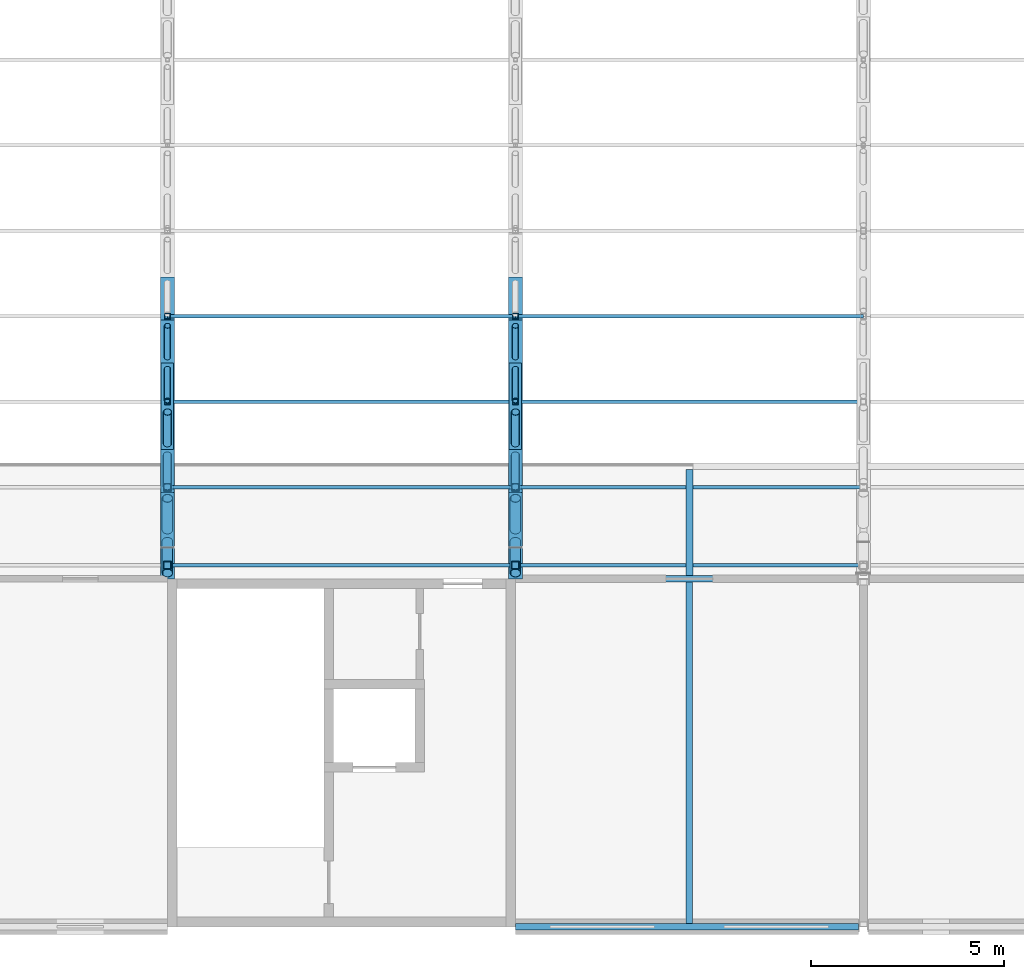
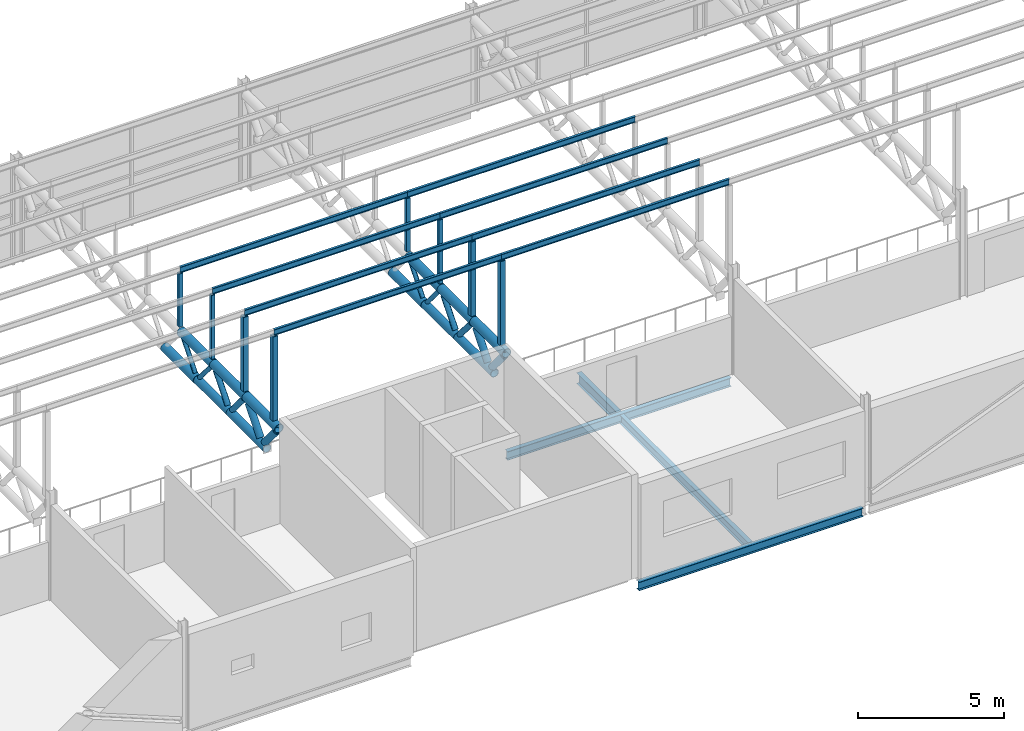
# One storey, part 44 of 138: 40 members, 4 beams.
"""IFC4 building model written with IfcOpenShell, lengths in metres."""

from ifc_helpers import new_model, si_unit, direction, frame, origin, origin_2d, place, context, subcontext, project, spatial, hollow_rectangle, hollow_circle, i_section, extrude, material, material_profile, profile_set, type_object, element, save


model = new_model("IFC4")

# Units and contexts
model_context = context("Model", 3, precision=1e-05, world=origin(), true_north=direction((0.0, 1.0)))
body_context = subcontext(model_context, "Body", "Model", "MODEL_VIEW")
ifc_project = project(units=[si_unit("LENGTHUNIT", "METRE"), si_unit("AREAUNIT", "SQUARE_METRE"), si_unit("VOLUMEUNIT", "CUBIC_METRE"), si_unit("PLANEANGLEUNIT", "RADIAN"), si_unit("MASSUNIT", "GRAM", prefix="KILO")], contexts=[model_context])

# Site, building, storey
site_placement = place(None, origin())
site = spatial("IfcSite", under=ifc_project, at=site_placement, CompositionType="ELEMENT")
building_placement = place(site_placement, origin())
building = spatial("IfcBuilding", under=site, at=building_placement, Name="Corbel Yard City Hall", CompositionType="ELEMENT")
storey_placement = place(building_placement, frame((0.0, 0.0, 10.5)))
storey = spatial("IfcBuildingStorey", under=building, at=storey_placement, Name="L02", CompositionType="ELEMENT", Elevation=10.5)

# Beams
ifc_material_1 = material(Name="Steel Grade 300 (300 MPa yield)", Category="steel")
ifc_material_profile_1 = material_profile(ifc_material_1, i_section(OverallWidth=0.172119140625, OverallDepth=0.35888671875, WebThickness=0.008056640625, FlangeThickness=0.012939453125, at=origin_2d()), Name="360UB56.7")
ifc_profile_set_1 = profile_set([ifc_material_profile_1], Name="Steel Grade 300 (300 MPa yield)")
beam_type_1 = type_object("IfcBeamType", Name="Edge beam 360UB56.7", PredefinedType="BEAM", material=ifc_profile_set_1)
beam_1_placement = place(storey_placement, frame((90.0, 0.0, -0.32958984375), z_axis=(1.0, 0.0, 0.0), x_axis=(0.0, 1.0, 0.0)))
element("IfcBeam", 1, at=beam_1_placement, inside=storey, type_object=beam_type_1, Name="Edge beam 360UB56.7 EB4 L02floor", PredefinedType="BEAM", context=body_context, shape_type="SweptSolid", body=[
    extrude(i_section(OverallWidth=0.172119140625, OverallDepth=0.35888671875, WebThickness=0.008056640625, FlangeThickness=0.012939453125, at=origin_2d()), origin(), (0.0, 0.0, 1.0), 8.8701171875),
])
beam_2_placement = place(storey_placement, frame((90.0, 9.0, -0.32958984375), z_axis=(1.0, 0.0, 0.0), x_axis=(0.0, 1.0, 0.0)))
element("IfcBeam", 2, at=beam_2_placement, inside=storey, type_object=beam_type_1, Name="Edge beam 360UB56.7 EB4 L02floor", PredefinedType="BEAM", context=body_context, shape_type="SweptSolid", body=[
    extrude(i_section(OverallWidth=0.172119140625, OverallDepth=0.35888671875, WebThickness=0.008056640625, FlangeThickness=0.012939453125, at=origin_2d()), origin(), (0.0, 0.0, 1.0), 8.842529296875),
])
ifc_material_profile_2 = material_profile(ifc_material_1, i_section(OverallWidth=0.18994140625, OverallDepth=0.4541015625, WebThickness=0.008544921875, FlangeThickness=0.0126953125, at=origin_2d()), Name="460UB67.1")
ifc_profile_set_2 = profile_set([ifc_material_profile_2], Name="Steel Grade 300 (300 MPa yield)")
beam_type_2 = type_object("IfcBeamType", Name="Gallery bracket 460UB67.1", PredefinedType="BEAM", material=ifc_profile_set_2)
beam_3_placement = place(storey_placement, frame((94.5, 9.0859375, -0.376953125), z_axis=(0.0, 1.0, 0.0), x_axis=(-1.0, 0.0, 0.0)))
element("IfcBeam", 3, at=beam_3_placement, inside=storey, type_object=beam_type_2, Name="Gallery bracket 460UB67.1 CB2 L02", PredefinedType="BEAM", context=body_context, shape_type="SweptSolid", body=[
    extrude(i_section(OverallWidth=0.18994140625, OverallDepth=0.4541015625, WebThickness=0.008544921875, FlangeThickness=0.0126953125, at=origin_2d()), origin(), (0.0, 0.0, 1.0), 2.7431640625),
])

# Members
ifc_material_2 = material(Name="Steel Grade C350L0", Category="steel")
ifc_material_profile_3 = material_profile(ifc_material_2, hollow_circle(Radius=0.161865234375, WallThickness=0.0126953125, at=origin_2d()), Name="323.9x12.7CHS")
ifc_profile_set_3 = profile_set([ifc_material_profile_3], Name="Steel Grade C350L0")
member_type_1 = type_object("IfcMemberType", Name="Hall roof truss bottom chord 323.9x12.7CHS", PredefinedType="CHORD", material=ifc_profile_set_3)
member_1_placement = place(storey_placement, frame((81.0, 9.8154296875, 2.59228515625), z_axis=(0.0, 1.0, 0.0), x_axis=(-1.0, 0.0, 0.0)))
element("IfcMember", 4, at=member_1_placement, inside=storey, type_object=member_type_1, Name="Hall roof truss bottom chord 323.9x12.7CHS TC2", PredefinedType="CHORD", context=body_context, shape_type="SweptSolid", body=[
    extrude(hollow_circle(Radius=0.161865234375, WallThickness=0.0126953125, at=origin_2d()), origin(), (0.0, 0.0, 1.0), 2.531005859375),
])
member_2_placement = place(storey_placement, frame((81.0, 12.346435546875, 2.59228515625), z_axis=(0.0, 1.0, 0.0), x_axis=(-1.0, 0.0, 0.0)))
element("IfcMember", 5, at=member_2_placement, inside=storey, type_object=member_type_1, Name="Hall roof truss bottom chord 323.9x12.7CHS TC2", PredefinedType="CHORD", context=body_context, shape_type="SweptSolid", body=[
    extrude(hollow_circle(Radius=0.161865234375, WallThickness=0.0126953125, at=origin_2d()), origin(), (0.0, 0.0, 1.0), 2.23095703125),
])
member_3_placement = place(storey_placement, frame((90.0, 9.8154296875, 2.59228515625), z_axis=(0.0, 1.0, 0.0), x_axis=(-1.0, 0.0, 0.0)))
element("IfcMember", 6, at=member_3_placement, inside=storey, type_object=member_type_1, Name="Hall roof truss bottom chord 323.9x12.7CHS TC2", PredefinedType="CHORD", context=body_context, shape_type="SweptSolid", body=[
    extrude(hollow_circle(Radius=0.161865234375, WallThickness=0.0126953125, at=origin_2d()), origin(), (0.0, 0.0, 1.0), 2.531005859375),
])
member_4_placement = place(storey_placement, frame((90.0, 12.346435546875, 2.59228515625), z_axis=(0.0, 1.0, 0.0), x_axis=(-1.0, 0.0, 0.0)))
element("IfcMember", 7, at=member_4_placement, inside=storey, type_object=member_type_1, Name="Hall roof truss bottom chord 323.9x12.7CHS TC2", PredefinedType="CHORD", context=body_context, shape_type="SweptSolid", body=[
    extrude(hollow_circle(Radius=0.161865234375, WallThickness=0.0126953125, at=origin_2d()), origin(), (0.0, 0.0, 1.0), 2.23095703125),
])
ifc_material_profile_4 = material_profile(ifc_material_2, hollow_circle(Radius=0.177734375, WallThickness=0.0126953125, at=origin_2d()), Name="355.6x12.7CHS")
ifc_profile_set_4 = profile_set([ifc_material_profile_4], Name="Steel Grade C350L0")
member_type_2 = type_object("IfcMemberType", Name="Hall roof truss bottom chord 355.6x12.7CHS", PredefinedType="CHORD", material=ifc_profile_set_4)
for number, where, z_axis, x_axis, name in (
    (8, (81.0, 14.577392578125, 2.59228515625), (0.0, 1.0, 0.0), (-1.0, 0.0, 0.0), "Hall roof truss bottom chord 355.6x12.7CHS TC3"),
    (9, (90.0, 14.577392578125, 2.59228515625), (0.0, 1.0, 0.0), (-1.0, 0.0, 0.0), "Hall roof truss bottom chord 355.6x12.7CHS TC3"),
):
    element("IfcMember", number, at=place(storey_placement, frame(where, z_axis=z_axis, x_axis=x_axis)), inside=storey, type_object=member_type_2, Name=name, PredefinedType="CHORD", context=body_context, shape_type="SweptSolid", body=[
        extrude(hollow_circle(Radius=0.177734375, WallThickness=0.0126953125, at=origin_2d()), origin(), (0.0, 0.0, 1.0), 2.23095703125),
    ])
ifc_material_profile_5 = material_profile(ifc_material_2, hollow_circle(Radius=0.084228515625, WallThickness=0.007080078125, at=origin_2d()), Name="168.3x7.1CHS")
ifc_profile_set_5 = profile_set([ifc_material_profile_5], Name="Steel Grade C350L0")
member_type_3 = type_object("IfcMemberType", Name="Hall roof truss diagonal 168.3x7.1CHS", PredefinedType="STRUT", material=ifc_profile_set_5)
for number, where, z_axis, x_axis, name in (
    (10, (81.0, 13.611083984375, 3.744384765625), (0.0, 0.64257954038, -0.766218985855), (-1.0, 0.0, 0.0), "Hall roof truss diagonal 168.3x7.1CHS TD3"),
    (11, (81.0, 14.7265625, 2.77001953125), (0.0, 0.64257954038, 0.766218985855), (-1.0, 0.0, 0.0), "Hall roof truss diagonal 168.3x7.1CHS TD3"),
    (12, (90.0, 13.611083984375, 3.744384765625), (0.0, 0.64257954038, -0.766218985855), (-1.0, 0.0, 0.0), "Hall roof truss diagonal 168.3x7.1CHS TD3"),
    (13, (90.0, 14.7265625, 2.77001953125), (0.0, 0.64257954038, 0.766218985855), (-1.0, 0.0, 0.0), "Hall roof truss diagonal 168.3x7.1CHS TD3"),
):
    element("IfcMember", number, at=place(storey_placement, frame(where, z_axis=z_axis, x_axis=x_axis)), inside=storey, type_object=member_type_3, Name=name, PredefinedType="STRUT", context=body_context, shape_type="SweptSolid", body=[
        extrude(hollow_circle(Radius=0.084228515625, WallThickness=0.007080078125, at=origin_2d()), origin(), (0.0, 0.0, 1.0), 1.271728515625),
    ])
ifc_material_profile_6 = material_profile(ifc_material_2, hollow_circle(Radius=0.109619140625, WallThickness=0.00830078125, at=origin_2d()), Name="219.1x8.2CHS")
ifc_profile_set_6 = profile_set([ifc_material_profile_6], Name="Steel Grade C350L0")
member_type_4 = type_object("IfcMemberType", Name="Hall roof truss diagonal 219.1x8.2CHS", PredefinedType="STRUT", material=ifc_profile_set_6)
for number, where, z_axis, x_axis, name in (
    (14, (81.0, 11.380126953125, 3.744384765625), (0.0, 0.64257954038, -0.766218985855), (-1.0, 0.0, 0.0), "Hall roof truss diagonal 219.1x8.2CHS TD2"),
    (15, (81.0, 12.49560546875, 2.77001953125), (0.0, 0.64257954038, 0.766218985855), (-1.0, 0.0, 0.0), "Hall roof truss diagonal 219.1x8.2CHS TD2"),
    (16, (90.0, 11.380126953125, 3.744384765625), (0.0, 0.64257954038, -0.766218985855), (-1.0, 0.0, 0.0), "Hall roof truss diagonal 219.1x8.2CHS TD2"),
    (17, (90.0, 12.49560546875, 2.77001953125), (0.0, 0.64257954038, 0.766218985855), (-1.0, 0.0, 0.0), "Hall roof truss diagonal 219.1x8.2CHS TD2"),
):
    element("IfcMember", number, at=place(storey_placement, frame(where, z_axis=z_axis, x_axis=x_axis)), inside=storey, type_object=member_type_4, Name=name, PredefinedType="STRUT", context=body_context, shape_type="SweptSolid", body=[
        extrude(hollow_circle(Radius=0.109619140625, WallThickness=0.00830078125, at=origin_2d()), origin(), (0.0, 0.0, 1.0), 1.271728515625),
    ])
ifc_material_profile_7 = material_profile(ifc_material_2, hollow_circle(Radius=0.136474609375, WallThickness=0.00927734375, at=origin_2d()), Name="273.1x9.3CHS")
ifc_profile_set_7 = profile_set([ifc_material_profile_7], Name="Steel Grade C350L0")
member_type_5 = type_object("IfcMemberType", Name="Hall roof truss diagonal 273.1x9.3CHS", PredefinedType="STRUT", material=ifc_profile_set_7)
for number, where, z_axis, x_axis, name in (
    (18, (81.0, 9.149169921875, 3.744384765625), (0.0, 0.64257954038, -0.766218985855), (-1.0, 0.0, 0.0), "Hall roof truss diagonal 273.1x9.3CHS TD1"),
    (19, (81.0, 10.2646484375, 2.77001953125), (0.0, 0.64257954038, 0.766218985855), (-1.0, 0.0, 0.0), "Hall roof truss diagonal 273.1x9.3CHS TD1"),
    (20, (90.0, 9.149169921875, 3.744384765625), (0.0, 0.64257954038, -0.766218985855), (-1.0, 0.0, 0.0), "Hall roof truss diagonal 273.1x9.3CHS TD1"),
    (21, (90.0, 10.2646484375, 2.77001953125), (0.0, 0.64257954038, 0.766218985855), (-1.0, 0.0, 0.0), "Hall roof truss diagonal 273.1x9.3CHS TD1"),
):
    element("IfcMember", number, at=place(storey_placement, frame(where, z_axis=z_axis, x_axis=x_axis)), inside=storey, type_object=member_type_5, Name=name, PredefinedType="STRUT", context=body_context, shape_type="SweptSolid", body=[
        extrude(hollow_circle(Radius=0.136474609375, WallThickness=0.00927734375, at=origin_2d()), origin(), (0.0, 0.0, 1.0), 1.271728515625),
    ])
ifc_material_profile_8 = material_profile(ifc_material_2, hollow_circle(Radius=0.177734375, WallThickness=0.0126953125, at=origin_2d()), Name="355.6x12.7CHS")
ifc_profile_set_8 = profile_set([ifc_material_profile_8], Name="Steel Grade C350L0")
member_type_6 = type_object("IfcMemberType", Name="Hall roof truss top chord 355.6x12.7CHS", PredefinedType="CHORD", material=ifc_profile_set_8)
for number, where, z_axis, x_axis, name in (
    (22, (81.0, 9.0, 3.922119140625), (0.0, 1.0, 0.0), (-1.0, 0.0, 0.0), "Hall roof truss top chord 355.6x12.7CHS TC1"),
    (23, (81.0, 11.23095703125, 3.922119140625), (0.0, 1.0, 0.0), (-1.0, 0.0, 0.0), "Hall roof truss top chord 355.6x12.7CHS TC1"),
    (24, (81.0, 13.4619140625, 3.922119140625), (0.0, 1.0, 0.0), (-1.0, 0.0, 0.0), "Hall roof truss top chord 355.6x12.7CHS TC1"),
    (25, (90.0, 9.0, 3.922119140625), (0.0, 1.0, 0.0), (-1.0, 0.0, 0.0), "Hall roof truss top chord 355.6x12.7CHS TC1"),
    (26, (90.0, 11.23095703125, 3.922119140625), (0.0, 1.0, 0.0), (-1.0, 0.0, 0.0), "Hall roof truss top chord 355.6x12.7CHS TC1"),
    (27, (90.0, 13.4619140625, 3.922119140625), (0.0, 1.0, 0.0), (-1.0, 0.0, 0.0), "Hall roof truss top chord 355.6x12.7CHS TC1"),
):
    element("IfcMember", number, at=place(storey_placement, frame(where, z_axis=z_axis, x_axis=x_axis)), inside=storey, type_object=member_type_6, Name=name, PredefinedType="CHORD", context=body_context, shape_type="SweptSolid", body=[
        extrude(hollow_circle(Radius=0.177734375, WallThickness=0.0126953125, at=origin_2d()), origin(), (0.0, 0.0, 1.0), 2.23095703125),
    ])
ifc_material_profile_9 = material_profile(ifc_material_1, i_section(OverallWidth=0.090087890625, OverallDepth=0.25, WebThickness=0.008056640625, FlangeThickness=0.014892578125, at=origin_2d()), Name="250PFC")
ifc_profile_set_9 = profile_set([ifc_material_profile_9], Name="Steel Grade 300 (300 MPa yield)")
member_type_7 = type_object("IfcMemberType", Name="Purlin 250PFC", PredefinedType="PURLIN", material=ifc_profile_set_9)
for number, where, z_axis, x_axis, name in (
    (28, (81.0, 9.3525390625, 7.74560546875), (1.0, 0.0, 0.0), (0.0, 1.0, 0.0), "Purlin 250PFC PU1"),
    (29, (81.0, 11.3642578125, 7.343017578125), (1.0, 0.0, 0.0), (0.0, 1.0, 0.0), "Purlin 250PFC PU1"),
    (30, (81.0, 13.576171875, 6.900634765625), (1.0, 0.0, 0.0), (0.0, 1.0, 0.0), "Purlin 250PFC PU1"),
    (31, (81.0, 15.7880859375, 6.45849609375), (1.0, 0.0, 0.0), (0.0, 1.0, 0.0), "Purlin 250PFC PU1"),
    (32, (90.0, 9.3525390625, 7.74560546875), (1.0, 0.0, 0.0), (0.0, 1.0, 0.0), "Purlin 250PFC PU1"),
    (33, (90.0, 11.3642578125, 7.343017578125), (1.0, 0.0, 0.0), (0.0, 1.0, 0.0), "Purlin 250PFC PU1"),
    (34, (90.0, 13.576171875, 6.900634765625), (1.0, 0.0, 0.0), (0.0, 1.0, 0.0), "Purlin 250PFC PU1"),
    (35, (90.0, 15.7880859375, 6.45849609375), (1.0, 0.0, 0.0), (0.0, 1.0, 0.0), "Purlin 250PFC PU1"),
):
    element("IfcMember", number, at=place(storey_placement, frame(where, z_axis=z_axis, x_axis=x_axis)), inside=storey, type_object=member_type_7, Name=name, PredefinedType="PURLIN", context=body_context, shape_type="SweptSolid", body=[
        extrude(i_section(OverallWidth=0.090087890625, OverallDepth=0.25, WebThickness=0.008056640625, FlangeThickness=0.014892578125, at=origin_2d()), origin(), (0.0, 0.0, 1.0), 9.0),
    ])
ifc_material_3 = material(Name="Steel Grade C450L0", Category="steel")
ifc_material_profile_10 = material_profile(ifc_material_3, hollow_rectangle(XDim=0.14990234375, YDim=0.14990234375, WallThickness=0.009033203125, at=origin_2d()), Name="150x150x9.0SHS")
ifc_profile_set_10 = profile_set([ifc_material_profile_10], Name="Steel Grade C450L0")
member_type_8 = type_object("IfcMemberType", Name="Roof post 150x150x9.0SHS", PredefinedType="POST", material=ifc_profile_set_10)
member_5_placement = place(storey_placement, frame((81.0, 13.576171875, 4.10009765625), z_axis=(0.0, 0.0, 1.0), x_axis=(1.0, 0.0, 0.0)))
element("IfcMember", 36, at=member_5_placement, inside=storey, type_object=member_type_8, Name="Roof post 150x150x9.0SHS RP2", PredefinedType="POST", context=body_context, shape_type="SweptSolid", body=[
    extrude(hollow_rectangle(XDim=0.14990234375, YDim=0.14990234375, WallThickness=0.009033203125, at=origin_2d()), origin(), (0.0, 0.0, 1.0), 2.675537109375),
])
member_6_placement = place(storey_placement, frame((81.0, 15.7880859375, 4.10009765625), z_axis=(0.0, 0.0, 1.0), x_axis=(1.0, 0.0, 0.0)))
element("IfcMember", 37, at=member_6_placement, inside=storey, type_object=member_type_8, Name="Roof post 150x150x9.0SHS RP2", PredefinedType="POST", context=body_context, shape_type="SweptSolid", body=[
    extrude(hollow_rectangle(XDim=0.14990234375, YDim=0.14990234375, WallThickness=0.009033203125, at=origin_2d()), origin(), (0.0, 0.0, 1.0), 2.2333984375),
])
member_7_placement = place(storey_placement, frame((90.0, 13.576171875, 4.10009765625), z_axis=(0.0, 0.0, 1.0), x_axis=(1.0, 0.0, 0.0)))
element("IfcMember", 38, at=member_7_placement, inside=storey, type_object=member_type_8, Name="Roof post 150x150x9.0SHS RP2", PredefinedType="POST", context=body_context, shape_type="SweptSolid", body=[
    extrude(hollow_rectangle(XDim=0.14990234375, YDim=0.14990234375, WallThickness=0.009033203125, at=origin_2d()), origin(), (0.0, 0.0, 1.0), 2.675537109375),
])
member_8_placement = place(storey_placement, frame((90.0, 15.7880859375, 4.10009765625), z_axis=(0.0, 0.0, 1.0), x_axis=(1.0, 0.0, 0.0)))
element("IfcMember", 39, at=member_8_placement, inside=storey, type_object=member_type_8, Name="Roof post 150x150x9.0SHS RP2", PredefinedType="POST", context=body_context, shape_type="SweptSolid", body=[
    extrude(hollow_rectangle(XDim=0.14990234375, YDim=0.14990234375, WallThickness=0.009033203125, at=origin_2d()), origin(), (0.0, 0.0, 1.0), 2.2333984375),
])
ifc_material_profile_11 = material_profile(ifc_material_3, hollow_rectangle(XDim=0.199951171875, YDim=0.199951171875, WallThickness=0.009033203125, at=origin_2d()), Name="200x200x9.0SHS")
ifc_profile_set_11 = profile_set([ifc_material_profile_11], Name="Steel Grade C450L0")
member_type_9 = type_object("IfcMemberType", Name="Roof post 200x200x9.0SHS", PredefinedType="POST", material=ifc_profile_set_11)
member_9_placement = place(storey_placement, frame((81.0, 9.3525390625, 4.10009765625), z_axis=(0.0, 0.0, 1.0), x_axis=(1.0, 0.0, 0.0)))
element("IfcMember", 40, at=member_9_placement, inside=storey, type_object=member_type_9, Name="Roof post 200x200x9.0SHS RP1", PredefinedType="POST", context=body_context, shape_type="SweptSolid", body=[
    extrude(hollow_rectangle(XDim=0.199951171875, YDim=0.199951171875, WallThickness=0.009033203125, at=origin_2d()), origin(), (0.0, 0.0, 1.0), 3.5205078125),
])
member_10_placement = place(storey_placement, frame((81.0, 11.3642578125, 4.10009765625), z_axis=(0.0, 0.0, 1.0), x_axis=(1.0, 0.0, 0.0)))
element("IfcMember", 41, at=member_10_placement, inside=storey, type_object=member_type_9, Name="Roof post 200x200x9.0SHS RP1", PredefinedType="POST", context=body_context, shape_type="SweptSolid", body=[
    extrude(hollow_rectangle(XDim=0.199951171875, YDim=0.199951171875, WallThickness=0.009033203125, at=origin_2d()), origin(), (0.0, 0.0, 1.0), 3.117919921875),
])
member_11_placement = place(storey_placement, frame((90.0, 9.3525390625, 4.10009765625), z_axis=(0.0, 0.0, 1.0), x_axis=(1.0, 0.0, 0.0)))
element("IfcMember", 42, at=member_11_placement, inside=storey, type_object=member_type_9, Name="Roof post 200x200x9.0SHS RP1", PredefinedType="POST", context=body_context, shape_type="SweptSolid", body=[
    extrude(hollow_rectangle(XDim=0.199951171875, YDim=0.199951171875, WallThickness=0.009033203125, at=origin_2d()), origin(), (0.0, 0.0, 1.0), 3.5205078125),
])
member_12_placement = place(storey_placement, frame((90.0, 11.3642578125, 4.10009765625), z_axis=(0.0, 0.0, 1.0), x_axis=(1.0, 0.0, 0.0)))
element("IfcMember", 43, at=member_12_placement, inside=storey, type_object=member_type_9, Name="Roof post 200x200x9.0SHS RP1", PredefinedType="POST", context=body_context, shape_type="SweptSolid", body=[
    extrude(hollow_rectangle(XDim=0.199951171875, YDim=0.199951171875, WallThickness=0.009033203125, at=origin_2d()), origin(), (0.0, 0.0, 1.0), 3.117919921875),
])

# Beam
ifc_material_profile_12 = material_profile(ifc_material_1, i_section(OverallWidth=0.1708984375, OverallDepth=0.35595703125, WebThickness=0.00732421875, FlangeThickness=0.011474609375, at=origin_2d()), Name="360UB50.7")
ifc_profile_set_12 = profile_set([ifc_material_profile_12], Name="Steel Grade 300 (300 MPa yield)")
beam_type_3 = type_object("IfcBeamType", Name="Secondary beam 360UB50.7", PredefinedType="JOIST", material=ifc_profile_set_12)
beam_4_placement = place(storey_placement, frame((94.5, 0.0859375, -0.327880859375), z_axis=(0.0, 1.0, 0.0), x_axis=(-1.0, 0.0, 0.0)))
element("IfcBeam", 44, at=beam_4_placement, inside=storey, type_object=beam_type_3, Name="Secondary beam 360UB50.7 SB10 L02floor", PredefinedType="JOIST", context=body_context, shape_type="SweptSolid", body=[
    extrude(i_section(OverallWidth=0.1708984375, OverallDepth=0.35595703125, WebThickness=0.00732421875, FlangeThickness=0.011474609375, at=origin_2d()), origin(), (0.0, 0.0, 1.0), 8.828125),
])

save(model, "model.ifc")
